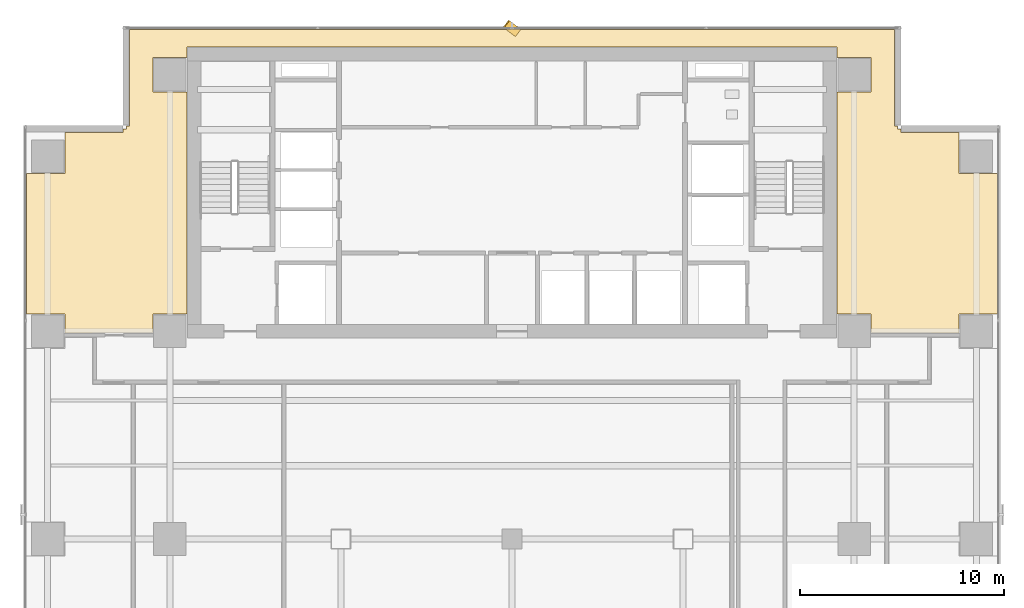
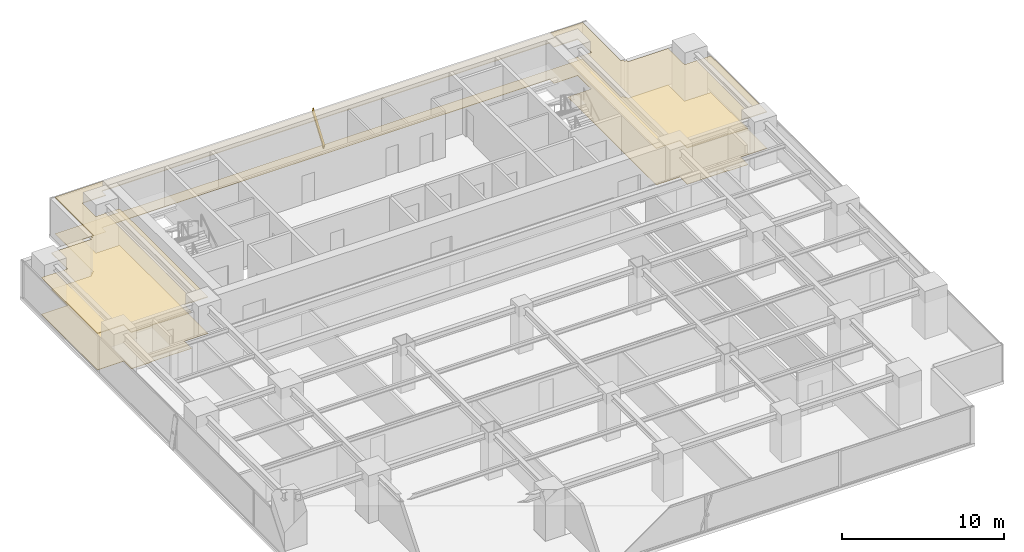
# One storey, part 26 of 28: 2 coverings, 1 shading device.
"""IFC4 building model written with IfcOpenShell, lengths in metres."""

from ifc_helpers import new_model, si_unit, direction, frame, origin, origin_2d, place, context, subcontext, project, spatial, polyline, rectangle, outline, extrude, source, transform, mapped, material, layer, layer_set, material_profile, profile_set, type_object, element, save


model = new_model("IFC4")

# Units and contexts
model_context = context("Model", 3, precision=1e-05, world=origin(), true_north=direction((0.0, 1.0)))
body_context = subcontext(model_context, "Body", "Model", "MODEL_VIEW")
ifc_project = project(units=[si_unit("LENGTHUNIT", "METRE"), si_unit("AREAUNIT", "SQUARE_METRE"), si_unit("VOLUMEUNIT", "CUBIC_METRE"), si_unit("PLANEANGLEUNIT", "RADIAN"), si_unit("MASSUNIT", "GRAM", prefix="KILO")], contexts=[model_context])

# Site, building, storey
site_placement = place(None, origin())
site = spatial("IfcSite", under=ifc_project, at=site_placement, CompositionType="ELEMENT")
building_placement = place(site_placement, origin())
building = spatial("IfcBuilding", under=site, at=building_placement, Name="Sumidabori Civic Tower", CompositionType="ELEMENT")
storey_placement = place(building_placement, frame((0.0, 0.0, 171.199951171875)))
storey = spatial("IfcBuildingStorey", under=building, at=storey_placement, Name="L44", CompositionType="ELEMENT", Elevation=171.199951171875)

# Coverings
ifc_material_1 = material(Name="Anodised Bronze Baffle Ceiling")
ifc_layer_1 = layer(ifc_material_1, 0.054931640625, Name="Anodised Bronze Baffle Ceiling")
ifc_layer_set_1 = layer_set([ifc_layer_1], Name="Anodised Bronze Baffle Ceiling")
covering_type_1 = type_object("IfcCoveringType", Name="CV-CEIL-AC3", PredefinedType="CEILING", material=ifc_layer_set_1)
covering_1_placement = place(storey_placement, frame((0.0, 0.0, 2.72998046875)))
element("IfcCovering", 1, at=covering_1_placement, inside=storey, type_object=covering_type_1, Name="Room Acoustic Ceiling L44-01", PredefinedType="CEILING", context=body_context, shape_type="SweptSolid", body=[
    extrude(outline(polyline([(-20.60009765625, 10.110107421875), (-21.9599609375, 10.110107421875), (-21.9599609375, 11.0400390625), (-23.830078125, 11.0400390625), (-23.830078125, 17.9599609375), (-21.9599609375, 17.9599609375), (-21.9599609375, 19.971923828125), (-19.092041015625, 19.971923828125), (-19.092041015625, 20.1298828125), (-18.929931640625, 20.1298828125), (-18.929931640625, 20.2919921875), (-18.77197265625, 20.2919921875), (-18.77197265625, 25.030029296875), (18.77197265625, 25.030029296875), (18.77197265625, 20.2919921875), (18.929931640625, 20.2919921875), (18.929931640625, 20.1298828125), (19.092041015625, 20.1298828125), (19.092041015625, 19.971923828125), (21.9599609375, 19.971923828125), (21.9599609375, 17.9599609375), (23.830078125, 17.9599609375), (23.830078125, 11.0400390625), (21.9599609375, 11.0400390625), (21.9599609375, 10.110107421875), (20.60009765625, 10.110107421875), (20.60009765625, 10.14990234375), (17.639892578125, 10.14990234375), (17.639892578125, 11.0400390625), (15.952880859375, 11.0400390625), (15.952880859375, 21.9599609375), (17.639892578125, 21.9599609375), (17.639892578125, 23.639892578125), (15.952880859375, 23.639892578125), (15.952880859375, 24.153076171875), (-15.952880859375, 24.153076171875), (-15.952880859375, 23.639892578125), (-17.639892578125, 23.639892578125), (-17.639892578125, 21.9599609375), (-15.952880859375, 21.9599609375), (-15.952880859375, 11.0400390625), (-17.639892578125, 11.0400390625), (-17.639892578125, 10.14990234375), (-20.60009765625, 10.14990234375), (-20.60009765625, 10.110107421875)])), origin(), (0.0, 0.0, 1.0), 0.05517578125),
])
ifc_material_2 = material(Name="Honed Terrazzo Tile Flooring")
ifc_layer_2 = layer(ifc_material_2, 0.030029296875, Name="Honed Terrazzo Tile Flooring")
ifc_layer_set_2 = layer_set([ifc_layer_2], Name="Honed Terrazzo Tile Flooring")
covering_type_2 = type_object("IfcCoveringType", Name="CV-FLR-TER", PredefinedType="FLOORING", material=ifc_layer_set_2)
covering_2_placement = place(storey_placement, origin())
element("IfcCovering", 2, at=covering_2_placement, inside=storey, type_object=covering_type_2, Name="Room Terrazzo Floor L44-01", PredefinedType="FLOORING", context=body_context, shape_type="SweptSolid", body=[
    extrude(outline(polyline([(-20.60009765625, 10.110107421875), (-21.9599609375, 10.110107421875), (-21.9599609375, 11.0400390625), (-23.830078125, 11.0400390625), (-23.830078125, 17.9599609375), (-21.9599609375, 17.9599609375), (-21.9599609375, 19.971923828125), (-19.092041015625, 19.971923828125), (-19.092041015625, 20.1298828125), (-18.929931640625, 20.1298828125), (-18.929931640625, 20.2919921875), (-18.77197265625, 20.2919921875), (-18.77197265625, 25.030029296875), (18.77197265625, 25.030029296875), (18.77197265625, 20.2919921875), (18.929931640625, 20.2919921875), (18.929931640625, 20.1298828125), (19.092041015625, 20.1298828125), (19.092041015625, 19.971923828125), (21.9599609375, 19.971923828125), (21.9599609375, 17.9599609375), (23.830078125, 17.9599609375), (23.830078125, 11.0400390625), (21.9599609375, 11.0400390625), (21.9599609375, 10.110107421875), (20.60009765625, 10.110107421875), (20.60009765625, 10.14990234375), (17.639892578125, 10.14990234375), (17.639892578125, 11.0400390625), (15.952880859375, 11.0400390625), (15.952880859375, 21.9599609375), (17.639892578125, 21.9599609375), (17.639892578125, 23.639892578125), (15.952880859375, 23.639892578125), (15.952880859375, 24.153076171875), (-15.952880859375, 24.153076171875), (-15.952880859375, 23.639892578125), (-17.639892578125, 23.639892578125), (-17.639892578125, 21.9599609375), (-15.952880859375, 21.9599609375), (-15.952880859375, 11.0400390625), (-17.639892578125, 11.0400390625), (-17.639892578125, 10.14990234375), (-20.60009765625, 10.14990234375), (-20.60009765625, 10.110107421875)])), origin(), (0.0, 0.0, 1.0), 0.030029296875),
])

# Shading device
ifc_material_3 = material(Name="Anodised Bronze Aluminium AW-6063-T6", Category="aluminium")
ifc_material_profile = material_profile(ifc_material_3, rectangle(XDim=0.06005859375, YDim=0.449951171875, at=origin_2d()), Name="BRONZE FIN 450x60")
ifc_profile_set = profile_set([ifc_material_profile], Name="Anodised Bronze Aluminium AW-6063-T6")
shading_device_type = type_object("IfcShadingDeviceType", Name="SH-FIN-450", PredefinedType="USERDEFINED", material=ifc_profile_set)
shared_shape = source(origin(), body_context, "Body", "SweptSolid", [
    extrude(rectangle(XDim=0.06005859375, YDim=0.449951171875, at=origin_2d()), origin(), (0.0, 0.0, 1.0), 2.789306640625),
])
shading_device_placement = place(storey_placement, frame((0.280029296875, 24.8701171875, 0.02001953125), z_axis=(-0.200794136335, 0.150551837182, 0.967995794998), x_axis=(0.774477654896, -0.580689436103, 0.250966413819)))
element("IfcShadingDevice", 3, at=shading_device_placement, inside=storey, type_object=shading_device_type, Name="Bronze Anodised Diagonal Fin L44-02", ObjectType="FIN", PredefinedType="USERDEFINED", context=body_context, shape_type="MappedRepresentation", body=[
    mapped(shared_shape, transform((0.0, 0.0, 0.0), x_axis=(1.0, 0.0, 0.0), y_axis=(0.0, 1.0, 0.0), z_axis=(0.0, 0.0, 1.0), scale=1.0)),
])

save(model, "model.ifc")
